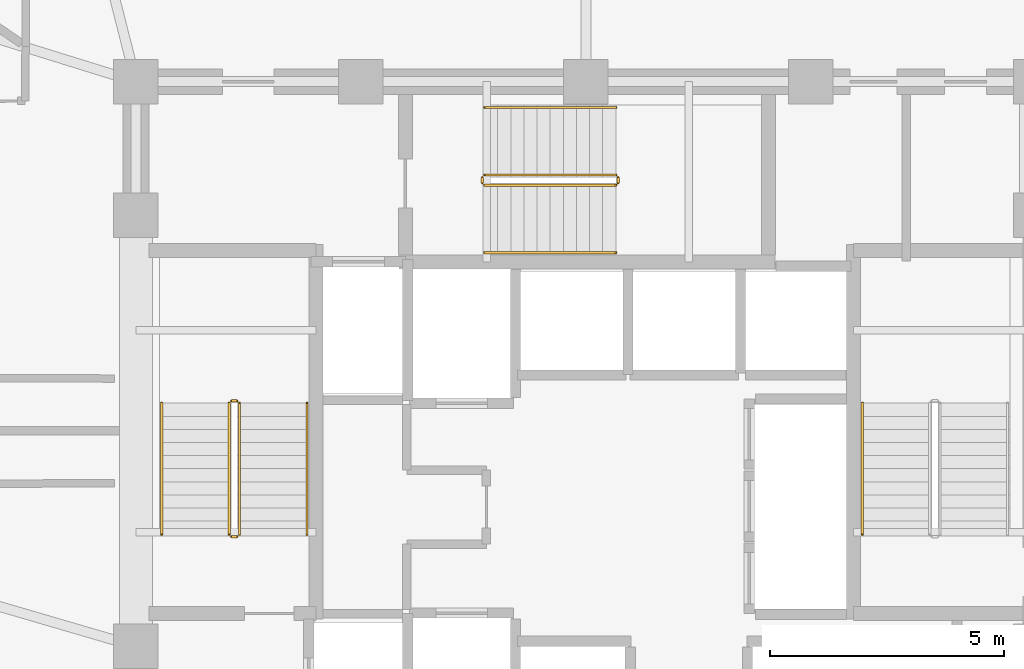
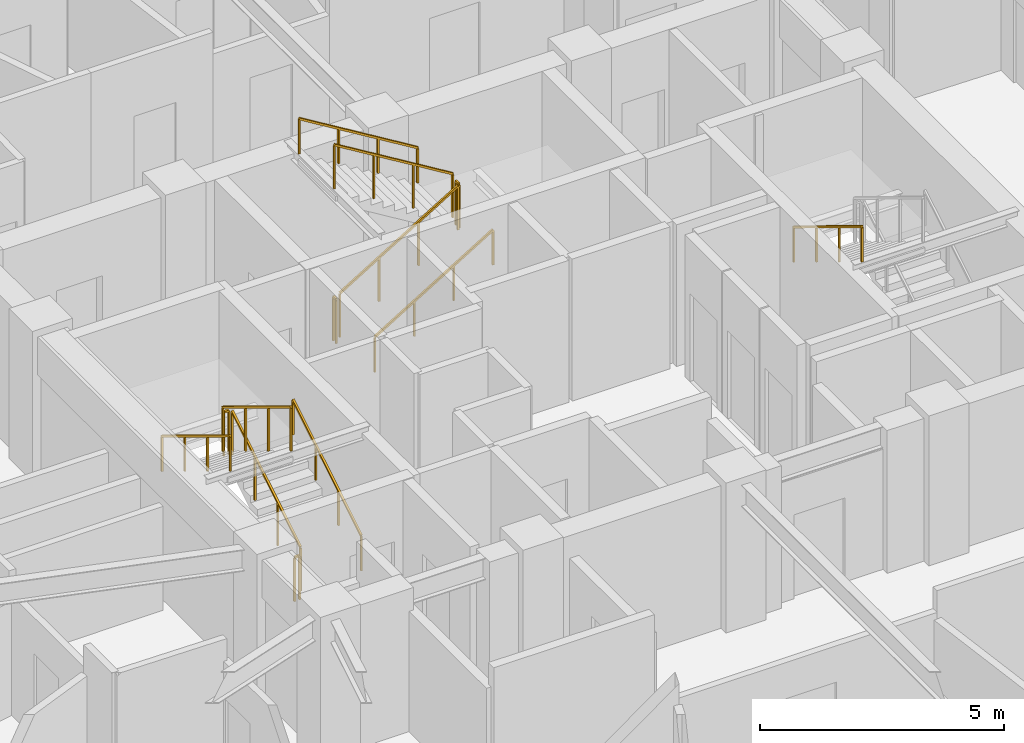
# One storey, part 12 of 14: 13 railings.
"""IFC4 building model written with IfcOpenShell, lengths in metres."""

from ifc_helpers import new_model, si_unit, direction, frame, origin, origin_2d, place, context, subcontext, project, spatial, rectangle, extrude, material, type_object, element, save


model = new_model("IFC4")

# Units and contexts
model_context = context("Model", 3, precision=1e-05, world=origin(), true_north=direction((0.0, 1.0)))
body_context = subcontext(model_context, "Body", "Model", "MODEL_VIEW")
ifc_project = project(units=[si_unit("LENGTHUNIT", "METRE"), si_unit("AREAUNIT", "SQUARE_METRE"), si_unit("VOLUMEUNIT", "CUBIC_METRE"), si_unit("PLANEANGLEUNIT", "RADIAN"), si_unit("MASSUNIT", "GRAM", prefix="KILO")], contexts=[model_context])

# Site, building, storey
site_placement = place(None, origin())
site = spatial("IfcSite", under=ifc_project, at=site_placement, CompositionType="ELEMENT")
building_placement = place(site_placement, origin())
building = spatial("IfcBuilding", under=site, at=building_placement, Name="Vantalir Tower", CompositionType="ELEMENT")
storey_placement = place(building_placement, frame((0.0, 0.0, 112.199951171875)))
storey = spatial("IfcBuildingStorey", under=building, at=storey_placement, Name="L27", CompositionType="ELEMENT", Elevation=112.199951171875)

# Railings
ifc_material_1 = material(Name="Anodised aluminium and stainless steel guard", Category="steel")
railing_type_1 = type_object("IfcRailingType", Name="RAL-GUARD-1120", PredefinedType="GUARDRAIL", material=ifc_material_1)
railing_1_placement = place(storey_placement, frame((24.110107421875, 22.7900390625, 0.17041015625)))
element("IfcRailing", 1, at=railing_1_placement, inside=storey, type_object=railing_type_1, Name="L27 ST1 stair guard 1", PredefinedType="GUARDRAIL", context=body_context, shape_type="SweptSolid", body=[
    extrude(rectangle(XDim=0.048095703125, YDim=0.048095703125, at=origin_2d()), frame((0.0, 0.0, 1.09619140625), z_axis=(0.0, 0.854169791009, 0.51999420009), x_axis=(-1.0, 0.0, 0.0)), (0.0, 0.0, 1.0), 3.278076171875),
    extrude(rectangle(XDim=0.0419921875, YDim=0.0419921875, at=origin_2d()), origin(), (0.0, 0.0, 1.0), 1.072021484375),
    extrude(rectangle(XDim=0.0419921875, YDim=0.0419921875, at=origin_2d()), frame((0.0, 0.933349609375, 0.568115234375)), (0.0, 0.0, 1.0), 1.072021484375),
    extrude(rectangle(XDim=0.0419921875, YDim=0.0419921875, at=origin_2d()), frame((0.0, 1.86669921875, 1.136474609375)), (0.0, 0.0, 1.0), 1.072021484375),
    extrude(rectangle(XDim=0.0419921875, YDim=0.0419921875, at=origin_2d()), frame((0.0, 2.800048828125, 1.70458984375)), (0.0, 0.0, 1.0), 1.072021484375),
])
railing_2_placement = place(storey_placement, frame((24.06005859375, 25.639892578125, 1.875)))
element("IfcRailing", 2, at=railing_2_placement, inside=storey, type_object=railing_type_1, Name="L27 ST1 stair guard 2", PredefinedType="GUARDRAIL", context=body_context, shape_type="SweptSolid", body=[
    extrude(rectangle(XDim=0.048095703125, YDim=0.048095703125, at=origin_2d()), frame((0.0, 0.0, 1.09619140625), z_axis=(-1.0, 0.0, 0.0), x_axis=(0.0, -1.0, 0.0)), (0.0, 0.0, 1.0), 0.1201171875),
    extrude(rectangle(XDim=0.0419921875, YDim=0.0419921875, at=origin_2d()), origin(), (0.0, 0.0, 1.0), 1.072021484375),
    extrude(rectangle(XDim=0.0419921875, YDim=0.0419921875, at=origin_2d()), frame((-0.1201171875, 0.0, 0.0)), (0.0, 0.0, 1.0), 1.072021484375),
])
railing_3_placement = place(storey_placement, frame((23.889892578125, 25.590087890625, 2.04541015625)))
element("IfcRailing", 3, at=railing_3_placement, inside=storey, type_object=railing_type_1, Name="L27 ST1 stair guard 3", PredefinedType="GUARDRAIL", context=body_context, shape_type="SweptSolid", body=[
    extrude(rectangle(XDim=0.048095703125, YDim=0.048095703125, at=origin_2d()), frame((0.0, 0.0, 1.09619140625), z_axis=(0.0, -0.854169791009, 0.51999420009), x_axis=(1.0, 0.0, 0.0)), (0.0, 0.0, 1.0), 3.278076171875),
    extrude(rectangle(XDim=0.0419921875, YDim=0.0419921875, at=origin_2d()), origin(), (0.0, 0.0, 1.0), 1.072021484375),
    extrude(rectangle(XDim=0.0419921875, YDim=0.0419921875, at=origin_2d()), frame((0.0, -0.933349609375, 0.568115234375)), (0.0, 0.0, 1.0), 1.072021484375),
    extrude(rectangle(XDim=0.0419921875, YDim=0.0419921875, at=origin_2d()), frame((0.0, -1.86669921875, 1.136474609375)), (0.0, 0.0, 1.0), 1.072021484375),
    extrude(rectangle(XDim=0.0419921875, YDim=0.0419921875, at=origin_2d()), frame((0.0, -2.800048828125, 1.70458984375)), (0.0, 0.0, 1.0), 1.072021484375),
])
railing_4_placement = place(storey_placement, frame((24.06005859375, 22.739990234375, 0.0)))
element("IfcRailing", 4, at=railing_4_placement, inside=storey, type_object=railing_type_1, Name="L27 ST1 stair guard 4", PredefinedType="GUARDRAIL", context=body_context, shape_type="SweptSolid", body=[
    extrude(rectangle(XDim=0.048095703125, YDim=0.048095703125, at=origin_2d()), frame((0.0, 0.0, 1.09619140625), z_axis=(-1.0, 0.0, 0.0), x_axis=(0.0, -1.0, 0.0)), (0.0, 0.0, 1.0), 0.1201171875),
    extrude(rectangle(XDim=0.0419921875, YDim=0.0419921875, at=origin_2d()), origin(), (0.0, 0.0, 1.0), 1.072021484375),
    extrude(rectangle(XDim=0.0419921875, YDim=0.0419921875, at=origin_2d()), frame((-0.1201171875, 0.0, 0.0)), (0.0, 0.0, 1.0), 1.072021484375),
])
railing_5_placement = place(storey_placement, frame((29.340087890625, 30.239990234375, 0.17041015625)))
element("IfcRailing", 5, at=railing_5_placement, inside=storey, type_object=railing_type_1, Name="L27 ST3 stair guard 1", PredefinedType="GUARDRAIL", context=body_context, shape_type="SweptSolid", body=[
    extrude(rectangle(XDim=0.048095703125, YDim=0.048095703125, at=origin_2d()), frame((0.0, 0.0, 1.09619140625), z_axis=(0.854149651119, 0.0, 0.520027281489), x_axis=(0.0, 1.0, 0.0)), (0.0, 0.0, 1.0), 3.27783203125),
    extrude(rectangle(XDim=0.0419921875, YDim=0.0419921875, at=origin_2d()), origin(), (0.0, 0.0, 1.0), 1.072021484375),
    extrude(rectangle(XDim=0.0419921875, YDim=0.0419921875, at=origin_2d()), frame((0.933349609375, 0.0, 0.568115234375)), (0.0, 0.0, 1.0), 1.072021484375),
    extrude(rectangle(XDim=0.0419921875, YDim=0.0419921875, at=origin_2d()), frame((1.866455078125, 0.0, 1.136474609375)), (0.0, 0.0, 1.0), 1.072021484375),
    extrude(rectangle(XDim=0.0419921875, YDim=0.0419921875, at=origin_2d()), frame((2.7998046875, 0.0, 1.70458984375)), (0.0, 0.0, 1.0), 1.072021484375),
])
railing_6_placement = place(storey_placement, frame((32.18994140625, 30.2900390625, 1.875)))
element("IfcRailing", 6, at=railing_6_placement, inside=storey, type_object=railing_type_1, Name="L27 ST3 stair guard 2", PredefinedType="GUARDRAIL", context=body_context, shape_type="SweptSolid", body=[
    extrude(rectangle(XDim=0.048095703125, YDim=0.048095703125, at=origin_2d()), frame((0.0, 0.0, 1.09619140625), z_axis=(0.0, 1.0, 0.0), x_axis=(-1.0, 0.0, 0.0)), (0.0, 0.0, 1.0), 0.119873046875),
    extrude(rectangle(XDim=0.0419921875, YDim=0.0419921875, at=origin_2d()), origin(), (0.0, 0.0, 1.0), 1.072021484375),
    extrude(rectangle(XDim=0.0419921875, YDim=0.0419921875, at=origin_2d()), frame((0.0, 0.119873046875, 0.0)), (0.0, 0.0, 1.0), 1.072021484375),
])
railing_7_placement = place(storey_placement, frame((32.139892578125, 30.4599609375, 2.04541015625)))
element("IfcRailing", 7, at=railing_7_placement, inside=storey, type_object=railing_type_1, Name="L27 ST3 stair guard 3", PredefinedType="GUARDRAIL", context=body_context, shape_type="SweptSolid", body=[
    extrude(rectangle(XDim=0.048095703125, YDim=0.048095703125, at=origin_2d()), frame((0.0, 0.0, 1.09619140625), z_axis=(-0.854149651119, 0.0, 0.520027281489), x_axis=(0.0, -1.0, 0.0)), (0.0, 0.0, 1.0), 3.27783203125),
    extrude(rectangle(XDim=0.0419921875, YDim=0.0419921875, at=origin_2d()), origin(), (0.0, 0.0, 1.0), 1.072021484375),
    extrude(rectangle(XDim=0.0419921875, YDim=0.0419921875, at=origin_2d()), frame((-0.933349609375, 0.0, 0.568115234375)), (0.0, 0.0, 1.0), 1.072021484375),
    extrude(rectangle(XDim=0.0419921875, YDim=0.0419921875, at=origin_2d()), frame((-1.866455078125, 0.0, 1.136474609375)), (0.0, 0.0, 1.0), 1.072021484375),
    extrude(rectangle(XDim=0.0419921875, YDim=0.0419921875, at=origin_2d()), frame((-2.7998046875, 0.0, 1.70458984375)), (0.0, 0.0, 1.0), 1.072021484375),
])
railing_8_placement = place(storey_placement, frame((29.2900390625, 30.2900390625, 0.0)))
element("IfcRailing", 8, at=railing_8_placement, inside=storey, type_object=railing_type_1, Name="L27 ST3 stair guard 4", PredefinedType="GUARDRAIL", context=body_context, shape_type="SweptSolid", body=[
    extrude(rectangle(XDim=0.048095703125, YDim=0.048095703125, at=origin_2d()), frame((0.0, 0.0, 1.09619140625), z_axis=(0.0, 1.0, 0.0), x_axis=(-1.0, 0.0, 0.0)), (0.0, 0.0, 1.0), 0.119873046875),
    extrude(rectangle(XDim=0.0419921875, YDim=0.0419921875, at=origin_2d()), origin(), (0.0, 0.0, 1.0), 1.072021484375),
    extrude(rectangle(XDim=0.0419921875, YDim=0.0419921875, at=origin_2d()), frame((0.0, 0.119873046875, 0.0)), (0.0, 0.0, 1.0), 1.072021484375),
])
ifc_material_2 = material(Name="Brushed stainless steel tubular handrail", Category="steel")
railing_type_2 = type_object("IfcRailingType", Name="RAL-HANDRAIL-900", PredefinedType="HANDRAIL", material=ifc_material_2)
railing_9_placement = place(storey_placement, frame((25.550048828125, 22.7900390625, 0.17041015625)))
element("IfcRailing", 9, at=railing_9_placement, inside=storey, type_object=railing_type_2, Name="L27 ST1 stair handrail 1", PredefinedType="HANDRAIL", context=body_context, shape_type="SweptSolid", body=[
    extrude(rectangle(XDim=0.048095703125, YDim=0.048095703125, at=origin_2d()), frame((0.0, 0.0, 0.8759765625), z_axis=(0.0, 0.854169791009, 0.51999420009), x_axis=(-1.0, 0.0, 0.0)), (0.0, 0.0, 1.0), 3.278076171875),
    extrude(rectangle(XDim=0.0419921875, YDim=0.0419921875, at=origin_2d()), origin(), (0.0, 0.0, 1.0), 0.851806640625),
    extrude(rectangle(XDim=0.0419921875, YDim=0.0419921875, at=origin_2d()), frame((0.0, 0.933349609375, 0.568115234375)), (0.0, 0.0, 1.0), 0.851806640625),
    extrude(rectangle(XDim=0.0419921875, YDim=0.0419921875, at=origin_2d()), frame((0.0, 1.86669921875, 1.136474609375)), (0.0, 0.0, 1.0), 0.851806640625),
    extrude(rectangle(XDim=0.0419921875, YDim=0.0419921875, at=origin_2d()), frame((0.0, 2.800048828125, 1.70458984375)), (0.0, 0.0, 1.0), 0.851806640625),
])
for number, where, name in (
    (10, (22.449951171875, 25.590087890625, 2.04541015625), "L27 ST1 stair handrail 2"),
    (11, (37.39990234375, 25.590087890625, 2.04541015625), "L27 ST2 stair handrail 2"),
):
    element("IfcRailing", number, at=place(storey_placement, frame(where)), inside=storey, type_object=railing_type_2, Name=name, PredefinedType="HANDRAIL", context=body_context, shape_type="SweptSolid", body=[
        extrude(rectangle(XDim=0.048095703125, YDim=0.048095703125, at=origin_2d()), frame((0.0, 0.0, 0.8759765625), z_axis=(0.0, -0.854169791009, 0.51999420009), x_axis=(1.0, 0.0, 0.0)), (0.0, 0.0, 1.0), 3.278076171875),
        extrude(rectangle(XDim=0.0419921875, YDim=0.0419921875, at=origin_2d()), origin(), (0.0, 0.0, 1.0), 0.851806640625),
        extrude(rectangle(XDim=0.0419921875, YDim=0.0419921875, at=origin_2d()), frame((0.0, -0.933349609375, 0.568115234375)), (0.0, 0.0, 1.0), 0.851806640625),
        extrude(rectangle(XDim=0.0419921875, YDim=0.0419921875, at=origin_2d()), frame((0.0, -1.86669921875, 1.136474609375)), (0.0, 0.0, 1.0), 0.851806640625),
        extrude(rectangle(XDim=0.0419921875, YDim=0.0419921875, at=origin_2d()), frame((0.0, -2.800048828125, 1.70458984375)), (0.0, 0.0, 1.0), 0.851806640625),
    ])
railing_10_placement = place(storey_placement, frame((29.340087890625, 28.800048828125, 0.17041015625)))
element("IfcRailing", 12, at=railing_10_placement, inside=storey, type_object=railing_type_2, Name="L27 ST3 stair handrail 1", PredefinedType="HANDRAIL", context=body_context, shape_type="SweptSolid", body=[
    extrude(rectangle(XDim=0.048095703125, YDim=0.048095703125, at=origin_2d()), frame((0.0, 0.0, 0.8759765625), z_axis=(0.854149651119, 0.0, 0.520027281489), x_axis=(0.0, 1.0, 0.0)), (0.0, 0.0, 1.0), 3.27783203125),
    extrude(rectangle(XDim=0.0419921875, YDim=0.0419921875, at=origin_2d()), origin(), (0.0, 0.0, 1.0), 0.851806640625),
    extrude(rectangle(XDim=0.0419921875, YDim=0.0419921875, at=origin_2d()), frame((0.933349609375, 0.0, 0.568115234375)), (0.0, 0.0, 1.0), 0.851806640625),
    extrude(rectangle(XDim=0.0419921875, YDim=0.0419921875, at=origin_2d()), frame((1.866455078125, 0.0, 1.136474609375)), (0.0, 0.0, 1.0), 0.851806640625),
    extrude(rectangle(XDim=0.0419921875, YDim=0.0419921875, at=origin_2d()), frame((2.7998046875, 0.0, 1.70458984375)), (0.0, 0.0, 1.0), 0.851806640625),
])
railing_11_placement = place(storey_placement, frame((32.139892578125, 31.89990234375, 2.04541015625)))
element("IfcRailing", 13, at=railing_11_placement, inside=storey, type_object=railing_type_2, Name="L27 ST3 stair handrail 2", PredefinedType="HANDRAIL", context=body_context, shape_type="SweptSolid", body=[
    extrude(rectangle(XDim=0.048095703125, YDim=0.048095703125, at=origin_2d()), frame((0.0, 0.0, 0.8759765625), z_axis=(-0.854149651119, 0.0, 0.520027281489), x_axis=(0.0, -1.0, 0.0)), (0.0, 0.0, 1.0), 3.27783203125),
    extrude(rectangle(XDim=0.0419921875, YDim=0.0419921875, at=origin_2d()), origin(), (0.0, 0.0, 1.0), 0.851806640625),
    extrude(rectangle(XDim=0.0419921875, YDim=0.0419921875, at=origin_2d()), frame((-0.933349609375, 0.0, 0.568115234375)), (0.0, 0.0, 1.0), 0.851806640625),
    extrude(rectangle(XDim=0.0419921875, YDim=0.0419921875, at=origin_2d()), frame((-1.866455078125, 0.0, 1.136474609375)), (0.0, 0.0, 1.0), 0.851806640625),
    extrude(rectangle(XDim=0.0419921875, YDim=0.0419921875, at=origin_2d()), frame((-2.7998046875, 0.0, 1.70458984375)), (0.0, 0.0, 1.0), 0.851806640625),
])

save(model, "model.ifc")
